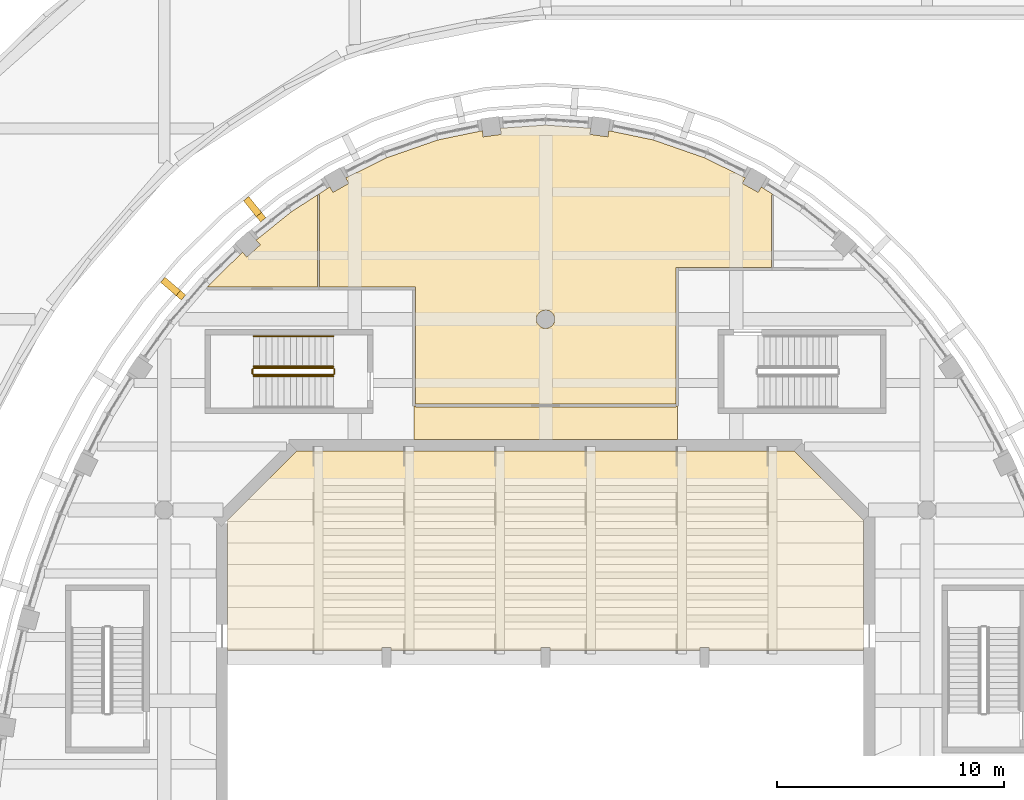
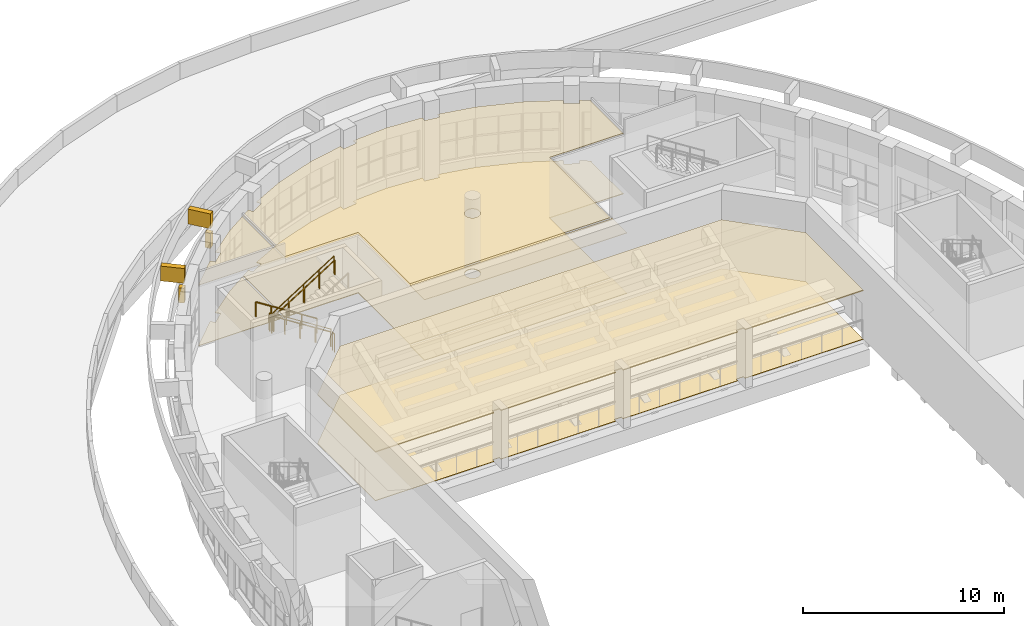
# One storey, part 76 of 79: 12 coverings, 7 railings.
"""IFC4 building model written with IfcOpenShell, lengths in metres."""

from ifc_helpers import new_model, si_unit, direction, frame, origin, origin_2d, place, context, subcontext, project, spatial, polyline, rectangle, circle, outline, extrude, material, layer, layer_set, type_object, element, save


model = new_model("IFC4")

# Units and contexts
model_context = context("Model", 3, precision=1e-05, world=origin(), true_north=direction((0.0, 1.0)))
body_context = subcontext(model_context, "Body", "Model", "MODEL_VIEW")
ifc_project = project(units=[si_unit("LENGTHUNIT", "METRE"), si_unit("AREAUNIT", "SQUARE_METRE"), si_unit("VOLUMEUNIT", "CUBIC_METRE"), si_unit("PLANEANGLEUNIT", "RADIAN"), si_unit("MASSUNIT", "GRAM", prefix="KILO")], contexts=[model_context])

# Site, building, storey
site_placement = place(None, origin())
site = spatial("IfcSite", under=ifc_project, at=site_placement, CompositionType="ELEMENT")
building_placement = place(site_placement, origin())
building = spatial("IfcBuilding", under=site, at=building_placement, Name="Larchfold Concert Hall", CompositionType="ELEMENT")
storey_placement = place(building_placement, frame((0.0, 0.0, 14.39990234375)))
storey = spatial("IfcBuildingStorey", under=building, at=storey_placement, Name="L03", CompositionType="ELEMENT", Elevation=14.39990234375)

# Coverings
ifc_material_1 = material(Name="Acoustic timber lining", Category="wood")
ifc_layer_1 = layer(ifc_material_1, 0.06005859375)
ifc_layer_set_1 = layer_set([ifc_layer_1], Name="Acoustic timber lining")
covering_type_1 = type_object("IfcCoveringType", Name="Ceiling acoustic timber lining 60", PredefinedType="CEILING", material=ifc_layer_set_1)
covering_1_placement = place(storey_placement, frame((0.0, 0.0, 2.940185546875)))
element("IfcCovering", 1, at=covering_1_placement, inside=storey, type_object=covering_type_1, Name="Ceiling Concert Hall Tier 2", PredefinedType="CEILING", context=body_context, shape_type="SweptSolid", body=[
    extrude(outline(polyline([(53.546630859375, 104.0), (31.653564453125, 104.0), (28.60009765625, 100.946533203125), (28.60009765625, 95.199951171875), (35.400146484375, 95.199951171875), (35.400146484375, 95.349853515625), (35.800048828125, 95.349853515625), (35.800048828125, 95.199951171875), (42.400146484375, 95.199951171875), (42.400146484375, 95.349853515625), (42.800048828125, 95.349853515625), (42.800048828125, 95.199951171875), (49.400146484375, 95.199951171875), (49.400146484375, 95.349853515625), (49.800048828125, 95.349853515625), (49.800048828125, 95.199951171875), (56.60009765625, 95.199951171875), (56.60009765625, 100.946533203125), (53.546630859375, 104.0)])), origin(), (0.0, 0.0, 1.0), 0.06005859375),
])
ifc_material_2 = material(Name="Mineral fibre ceiling tile")
ifc_layer_2 = layer(ifc_material_2, 0.02001953125)
ifc_layer_set_2 = layer_set([ifc_layer_2], Name="Mineral fibre ceiling tile")
covering_type_2 = type_object("IfcCoveringType", Name="Ceiling mineral fibre tile 20", PredefinedType="CEILING", material=ifc_layer_set_2)
covering_2_placement = place(storey_placement, frame((0.0, 0.0, 3.68017578125)))
element("IfcCovering", 2, at=covering_2_placement, inside=storey, type_object=covering_type_2, Name="Ceiling Public Toilets", PredefinedType="CEILING", context=body_context, shape_type="SweptSolid", body=[
    extrude(outline(polyline([(27.8154296875, 111.3466796875), (27.699462890625, 111.21142578125), (32.60009765625, 111.21142578125), (32.550048828125, 111.215087890625), (32.550048828125, 115.2734375), (31.41455078125, 114.541748046875), (29.850830078125, 113.282958984375), (30.036865234375, 113.07421875), (29.439453125, 112.542236328125), (29.252685546875, 112.751953125), (27.8154296875, 111.3466796875)])), origin(), (0.0, 0.0, 1.0), 0.02001953125),
])
ifc_material_3 = material(Name="Plasterboard ceiling lining")
ifc_layer_3 = layer(ifc_material_3, 0.030029296875)
ifc_layer_set_3 = layer_set([ifc_layer_3], Name="Plasterboard ceiling lining")
covering_type_3 = type_object("IfcCoveringType", Name="Ceiling suspended plasterboard 30", PredefinedType="CEILING", material=ifc_layer_set_3)
covering_3_placement = place(storey_placement, frame((0.0, 0.0, 3.670166015625)))
element("IfcCovering", 3, at=covering_3_placement, inside=storey, type_object=covering_type_3, Name="Ceiling Hall Foyer North", PredefinedType="CEILING", context=body_context, shape_type="SweptSolid", body=[
    extrude(outline(polyline([(36.864990234375, 106.0), (36.861572265625, 105.97998046875), (36.800048828125, 105.97998046875), (36.800048828125, 104.5), (48.39990234375, 104.5), (48.39990234375, 105.97998046875), (48.33740234375, 105.97998046875), (48.33740234375, 106.0), (48.3349609375, 105.9375), (36.864990234375, 105.9375), (36.864990234375, 106.0)])), origin(), (0.0, 0.0, 1.0), 0.030029296875),
])
covering_4_placement = place(storey_placement, frame((0.0, 0.0, 3.670166015625)))
element("IfcCovering", 4, at=covering_4_placement, inside=storey, type_object=covering_type_3, Name="Ceiling Upper Foyer Bar", PredefinedType="CEILING", context=body_context, shape_type="SweptSolid", body=[
    extrude(outline(polyline([(32.598388671875, 111.215087890625), (32.6201171875, 111.21142578125), (32.6201171875, 111.152587890625), (32.6240234375, 111.21142578125), (36.861572265625, 111.21142578125), (36.861572265625, 106.0), (36.864990234375, 106.0625), (48.3349609375, 106.0625), (48.33740234375, 106.0), (48.33642578125, 112.074462890625), (52.580078125, 112.068603515625), (52.60009765625, 112.070068359375), (52.550048828125, 112.070068359375), (52.550048828125, 115.281005859375), (52.60009765625, 115.281005859375), (52.60009765625, 115.3056640625), (52.10009765625, 115.6279296875), (51.963134765625, 115.386962890625), (51.267578125, 115.7822265625), (51.404052734375, 116.022216796875), (49.60888671875, 116.907958984375), (47.34130859375, 117.697509765625), (45.385009765625, 118.103271484375), (45.34765625, 117.833251953125), (44.55517578125, 117.942626953125), (44.59228515625, 118.212158203125), (42.60009765625, 118.349609375), (40.60791015625, 118.212158203125), (40.64501953125, 117.942626953125), (39.8525390625, 117.833251953125), (39.815185546875, 118.103271484375), (37.85888671875, 117.697509765625), (35.59130859375, 116.907958984375), (33.796142578125, 116.022216796875), (33.9326171875, 115.7822265625), (33.237060546875, 115.386962890625), (33.10009765625, 115.628173828125), (32.589111328125, 115.298828125), (32.589111328125, 115.281005859375), (32.650146484375, 115.281005859375), (32.650146484375, 111.215087890625), (32.598388671875, 111.215087890625)]), holes=[polyline([(42.49658203125, 109.41357421875), (42.447021484375, 109.430419921875), (42.356689453125, 109.482666015625), (42.317138671875, 109.51708984375), (42.28271484375, 109.556640625), (42.23046875, 109.64697265625), (42.20361328125, 109.747802734375), (42.2001953125, 109.800048828125), (42.20361328125, 109.852294921875), (42.23046875, 109.953125), (42.28271484375, 110.04345703125), (42.317138671875, 110.0830078125), (42.356689453125, 110.117431640625), (42.447021484375, 110.169677734375), (42.49658203125, 110.1865234375), (42.60009765625, 110.199951171875), (42.70361328125, 110.1865234375), (42.753173828125, 110.169677734375), (42.843505859375, 110.117431640625), (42.883056640625, 110.0830078125), (42.91748046875, 110.04345703125), (42.9697265625, 109.953125), (42.99658203125, 109.852294921875), (43.0, 109.800048828125), (42.99658203125, 109.747802734375), (42.9697265625, 109.64697265625), (42.91748046875, 109.556640625), (42.883056640625, 109.51708984375), (42.843505859375, 109.482666015625), (42.753173828125, 109.430419921875), (42.70361328125, 109.41357421875), (42.60009765625, 109.400146484375), (42.49658203125, 109.41357421875)])]), origin(), (0.0, 0.0, 1.0), 0.030029296875),
])
ifc_material_4 = material(Name="Ceramic tile")
ifc_layer_4 = layer(ifc_material_4, 0.030029296875)
ifc_layer_set_4 = layer_set([ifc_layer_4], Name="Ceramic tile")
covering_type_4 = type_object("IfcCoveringType", Name="Floor finish ceramic tile 30", PredefinedType="FLOORING", material=ifc_layer_set_4)
covering_5_placement = place(storey_placement, origin())
element("IfcCovering", 5, at=covering_5_placement, inside=storey, type_object=covering_type_4, Name="Floor finish Public Toilets", PredefinedType="FLOORING", context=body_context, shape_type="SweptSolid", body=[
    extrude(outline(polyline([(27.8154296875, 111.3466796875), (27.699462890625, 111.21142578125), (32.60009765625, 111.21142578125), (32.550048828125, 111.215087890625), (32.550048828125, 115.2734375), (31.41455078125, 114.541748046875), (29.850830078125, 113.282958984375), (30.036865234375, 113.07421875), (29.439453125, 112.542236328125), (29.252685546875, 112.751953125), (27.8154296875, 111.3466796875)])), origin(), (0.0, 0.0, 1.0), 0.030029296875),
])
ifc_material_5 = material(Name="Polished terrazzo")
ifc_layer_5 = layer(ifc_material_5, 0.0400390625)
ifc_layer_set_5 = layer_set([ifc_layer_5], Name="Polished terrazzo")
covering_type_5 = type_object("IfcCoveringType", Name="Floor finish terrazzo 40", PredefinedType="FLOORING", material=ifc_layer_set_5)
covering_6_placement = place(storey_placement, origin())
element("IfcCovering", 6, at=covering_6_placement, inside=storey, type_object=covering_type_5, Name="Floor finish Hall Foyer North", PredefinedType="FLOORING", context=body_context, shape_type="SweptSolid", body=[
    extrude(outline(polyline([(36.864990234375, 106.0), (36.861572265625, 105.97998046875), (36.800048828125, 105.97998046875), (36.800048828125, 104.5), (48.39990234375, 104.5), (48.39990234375, 105.97998046875), (48.33740234375, 105.97998046875), (48.33740234375, 106.0), (48.3349609375, 105.9375), (36.864990234375, 105.9375), (36.864990234375, 106.0)])), origin(), (0.0, 0.0, 1.0), 0.0400390625),
])
covering_7_placement = place(storey_placement, origin())
element("IfcCovering", 7, at=covering_7_placement, inside=storey, type_object=covering_type_5, Name="Floor finish Upper Foyer Bar", PredefinedType="FLOORING", context=body_context, shape_type="SweptSolid", body=[
    extrude(outline(polyline([(32.598388671875, 111.215087890625), (32.6201171875, 111.21142578125), (32.6201171875, 111.152587890625), (32.6240234375, 111.21142578125), (36.861572265625, 111.21142578125), (36.861572265625, 106.0), (36.864990234375, 106.0625), (48.3349609375, 106.0625), (48.33740234375, 106.0), (48.33642578125, 112.074462890625), (52.580078125, 112.068603515625), (52.60009765625, 112.070068359375), (52.550048828125, 112.070068359375), (52.550048828125, 115.281005859375), (52.60009765625, 115.281005859375), (52.60009765625, 115.3056640625), (52.10009765625, 115.6279296875), (51.963134765625, 115.386962890625), (51.267578125, 115.7822265625), (51.404052734375, 116.022216796875), (49.60888671875, 116.907958984375), (47.34130859375, 117.697509765625), (45.385009765625, 118.103271484375), (45.34765625, 117.833251953125), (44.55517578125, 117.942626953125), (44.59228515625, 118.212158203125), (42.60009765625, 118.349609375), (40.60791015625, 118.212158203125), (40.64501953125, 117.942626953125), (39.8525390625, 117.833251953125), (39.815185546875, 118.103271484375), (37.85888671875, 117.697509765625), (35.59130859375, 116.907958984375), (33.796142578125, 116.022216796875), (33.9326171875, 115.7822265625), (33.237060546875, 115.386962890625), (33.10009765625, 115.628173828125), (32.589111328125, 115.298828125), (32.589111328125, 115.281005859375), (32.650146484375, 115.281005859375), (32.650146484375, 111.215087890625), (32.598388671875, 111.215087890625)]), holes=[polyline([(42.49658203125, 109.41357421875), (42.447021484375, 109.430419921875), (42.356689453125, 109.482666015625), (42.317138671875, 109.51708984375), (42.28271484375, 109.556640625), (42.23046875, 109.64697265625), (42.20361328125, 109.747802734375), (42.2001953125, 109.800048828125), (42.20361328125, 109.852294921875), (42.23046875, 109.953125), (42.28271484375, 110.04345703125), (42.317138671875, 110.0830078125), (42.356689453125, 110.117431640625), (42.447021484375, 110.169677734375), (42.49658203125, 110.1865234375), (42.60009765625, 110.199951171875), (42.70361328125, 110.1865234375), (42.753173828125, 110.169677734375), (42.843505859375, 110.117431640625), (42.883056640625, 110.0830078125), (42.91748046875, 110.04345703125), (42.9697265625, 109.953125), (42.99658203125, 109.852294921875), (43.0, 109.800048828125), (42.99658203125, 109.747802734375), (42.9697265625, 109.64697265625), (42.91748046875, 109.556640625), (42.883056640625, 109.51708984375), (42.843505859375, 109.482666015625), (42.753173828125, 109.430419921875), (42.70361328125, 109.41357421875), (42.60009765625, 109.400146484375), (42.49658203125, 109.41357421875)])]), origin(), (0.0, 0.0, 1.0), 0.0400390625),
])
ifc_material_6 = material(Name="Oak boards on battens")
ifc_layer_6 = layer(ifc_material_6, 0.02490234375)
ifc_layer_set_6 = layer_set([ifc_layer_6], Name="Oak boards on battens")
covering_type_6 = type_object("IfcCoveringType", Name="Floor finish timber boards 25", PredefinedType="FLOORING", material=ifc_layer_set_6)
covering_8_placement = place(storey_placement, origin())
element("IfcCovering", 8, at=covering_8_placement, inside=storey, type_object=covering_type_6, Name="Floor finish Concert Hall Tier 2", PredefinedType="FLOORING", context=body_context, shape_type="SweptSolid", body=[
    extrude(outline(polyline([(53.546630859375, 104.0), (31.653564453125, 104.0), (28.60009765625, 100.946533203125), (28.60009765625, 95.199951171875), (35.400146484375, 95.199951171875), (35.400146484375, 95.349853515625), (35.800048828125, 95.349853515625), (35.800048828125, 95.199951171875), (42.400146484375, 95.199951171875), (42.400146484375, 95.349853515625), (42.800048828125, 95.349853515625), (42.800048828125, 95.199951171875), (49.400146484375, 95.199951171875), (49.400146484375, 95.349853515625), (49.800048828125, 95.349853515625), (49.800048828125, 95.199951171875), (56.60009765625, 95.199951171875), (56.60009765625, 100.946533203125), (53.546630859375, 104.0)])), origin(), (0.0, 0.0, 1.0), 0.02490234375),
])
ifc_material_7 = material(Name="Galvanised steel bracket", Category="steel")
ifc_layer_7 = layer(ifc_material_7, 0.300048828125)
ifc_layer_set_7 = layer_set([ifc_layer_7], Name="Galvanised steel bracket")
covering_type_7 = type_object("IfcCoveringType", Name="Ring support bracket", PredefinedType="CLADDING", material=ifc_layer_set_7)
for number, where, z_axis, x_axis, name in (
    (9, (30.06982421875, 114.293701171875, 3.35009765625), (0.0, 0.0, 1.0), (-0.626932967102, 0.77907320244, 0.0), "Ring bracket BR-R06-13"),
    (10, (26.537841796875, 110.854248046875, 3.35009765625), (0.0, 0.0, 1.0), (-0.759502249096, 0.650504676093, 0.0), "Ring bracket BR-R06-14"),
):
    element("IfcCovering", number, at=place(storey_placement, frame(where, z_axis=z_axis, x_axis=x_axis)), inside=storey, type_object=covering_type_7, Name=name, PredefinedType="CLADDING", context=body_context, shape_type="SweptSolid", body=[
        extrude(rectangle(XDim=0.300048828125, YDim=0.300048828125, at=origin_2d()), origin(), (0.0, 0.0, 1.0), 0.89990234375),
    ])
for number, where, z_axis, x_axis, name in (
    (11, (29.787841796875, 114.644287109375, 4.550048828125), (0.0, 0.0, 1.0), (-0.626932967102, 0.77907320244, 0.0), "Ring bracket BR-R07-13"),
    (12, (26.196044921875, 111.14697265625, 4.550048828125), (0.0, 0.0, 1.0), (-0.759502249096, 0.650504676093, 0.0), "Ring bracket BR-R07-14"),
):
    element("IfcCovering", number, at=place(storey_placement, frame(where, z_axis=z_axis, x_axis=x_axis)), inside=storey, type_object=covering_type_7, Name=name, PredefinedType="CLADDING", context=body_context, shape_type="SweptSolid", body=[
        extrude(rectangle(XDim=1.199951171875, YDim=0.300048828125, at=origin_2d()), origin(), (0.0, 0.0, 1.0), 0.89990234375),
    ])

# Railings
ifc_material_8 = material(Name="Stainless steel balustrade", Category="steel")
railing_type_1 = type_object("IfcRailingType", Name="Stair guard 1100", PredefinedType="GUARDRAIL", material=ifc_material_8)
railing_1_placement = place(storey_placement, frame((33.25, 107.650146484375, 0.171630859375)))
element("IfcRailing", 13, at=railing_1_placement, inside=storey, type_object=railing_type_1, Name="Guard GR0013", PredefinedType="GUARDRAIL", context=body_context, shape_type="SweptSolid", body=[
    extrude(circle(Radius=0.02392578125, at=origin_2d()), frame((0.0, 0.0, 1.076171875), z_axis=(-0.844219563411, 0.0, 0.53599750816), x_axis=(0.0, -1.0, 0.0)), (0.0, 0.0, 1.0), 4.15771484375),
    extrude(circle(Radius=0.02099609375, at=origin_2d()), origin(), (0.0, 0.0, 1.0), 1.052001953125),
    extrude(circle(Radius=0.02099609375, at=origin_2d()), frame((-0.87744140625, 0.0, 0.55712890625)), (0.0, 0.0, 1.0), 1.052001953125),
    extrude(circle(Radius=0.02099609375, at=origin_2d()), frame((-1.7548828125, 0.0, 1.1142578125)), (0.0, 0.0, 1.0), 1.052001953125),
    extrude(circle(Radius=0.02099609375, at=origin_2d()), frame((-2.632568359375, 0.0, 1.67138671875)), (0.0, 0.0, 1.0), 1.052001953125),
    extrude(circle(Radius=0.02099609375, at=origin_2d()), frame((-3.510009765625, 0.0, 2.228515625)), (0.0, 0.0, 1.0), 1.052001953125),
])
railing_2_placement = place(storey_placement, frame((29.68994140625, 107.60009765625, 2.400146484375)))
element("IfcRailing", 14, at=railing_2_placement, inside=storey, type_object=railing_type_1, Name="Guard GR0014", PredefinedType="GUARDRAIL", context=body_context, shape_type="SweptSolid", body=[
    extrude(circle(Radius=0.02392578125, at=origin_2d()), frame((0.0, 0.0, 1.076171875), z_axis=(0.0, -1.0, 0.0), x_axis=(1.0, 0.0, 0.0)), (0.0, 0.0, 1.0), 0.199951171875),
    extrude(circle(Radius=0.02099609375, at=origin_2d()), origin(), (0.0, 0.0, 1.0), 1.052001953125),
    extrude(circle(Radius=0.02099609375, at=origin_2d()), frame((0.0, -0.199951171875, 0.0)), (0.0, 0.0, 1.0), 1.052001953125),
])
railing_3_placement = place(storey_placement, frame((29.739990234375, 107.35009765625, 2.571533203125)))
element("IfcRailing", 15, at=railing_3_placement, inside=storey, type_object=railing_type_1, Name="Guard GR0015", PredefinedType="GUARDRAIL", context=body_context, shape_type="SweptSolid", body=[
    extrude(circle(Radius=0.02392578125, at=origin_2d()), frame((0.0, 0.0, 1.076171875), z_axis=(0.844219563411, 0.0, 0.53599750816), x_axis=(0.0, 1.0, 0.0)), (0.0, 0.0, 1.0), 4.15771484375),
    extrude(circle(Radius=0.02099609375, at=origin_2d()), origin(), (0.0, 0.0, 1.0), 1.052001953125),
    extrude(circle(Radius=0.02099609375, at=origin_2d()), frame((0.87744140625, 0.0, 0.55712890625)), (0.0, 0.0, 1.0), 1.052001953125),
    extrude(circle(Radius=0.02099609375, at=origin_2d()), frame((1.7548828125, 0.0, 1.1142578125)), (0.0, 0.0, 1.0), 1.052001953125),
    extrude(circle(Radius=0.02099609375, at=origin_2d()), frame((2.632568359375, 0.0, 1.67138671875)), (0.0, 0.0, 1.0), 1.052001953125),
    extrude(circle(Radius=0.02099609375, at=origin_2d()), frame((3.510009765625, 0.0, 2.228515625)), (0.0, 0.0, 1.0), 1.052001953125),
])
railing_4_placement = place(storey_placement, frame((33.300048828125, 107.60009765625, 0.0)))
element("IfcRailing", 16, at=railing_4_placement, inside=storey, type_object=railing_type_1, Name="Guard GR0016", PredefinedType="GUARDRAIL", context=body_context, shape_type="SweptSolid", body=[
    extrude(circle(Radius=0.02392578125, at=origin_2d()), frame((0.0, 0.0, 1.076171875), z_axis=(0.0, -1.0, 0.0), x_axis=(1.0, 0.0, 0.0)), (0.0, 0.0, 1.0), 0.199951171875),
    extrude(circle(Radius=0.02099609375, at=origin_2d()), origin(), (0.0, 0.0, 1.0), 1.052001953125),
    extrude(circle(Radius=0.02099609375, at=origin_2d()), frame((0.0, -0.199951171875, 0.0)), (0.0, 0.0, 1.0), 1.052001953125),
])
ifc_material_9 = material(Name="Stainless steel handrail", Category="steel")
railing_type_2 = type_object("IfcRailingType", Name="Stair handrail 900", PredefinedType="HANDRAIL", material=ifc_material_9)
for number, where, name in (
    (17, (33.25, 109.050048828125, 0.171630859375), "Handrail HR0009"),
    (18, (33.25, 107.72021484375, 0.171630859375), "Handrail HR0011"),
):
    element("IfcRailing", number, at=place(storey_placement, frame(where)), inside=storey, type_object=railing_type_2, Name=name, PredefinedType="HANDRAIL", context=body_context, shape_type="SweptSolid", body=[
        extrude(circle(Radius=0.02392578125, at=origin_2d()), frame((0.0, 0.0, 0.8759765625), z_axis=(-0.844219563411, 0.0, 0.53599750816), x_axis=(0.0, -1.0, 0.0)), (0.0, 0.0, 1.0), 4.15771484375),
        extrude(circle(Radius=0.02099609375, at=origin_2d()), origin(), (0.0, 0.0, 1.0), 0.851806640625),
        extrude(circle(Radius=0.02099609375, at=origin_2d()), frame((-0.87744140625, 0.0, 0.55712890625)), (0.0, 0.0, 1.0), 0.851806640625),
        extrude(circle(Radius=0.02099609375, at=origin_2d()), frame((-1.7548828125, 0.0, 1.1142578125)), (0.0, 0.0, 1.0), 0.851806640625),
        extrude(circle(Radius=0.02099609375, at=origin_2d()), frame((-2.632568359375, 0.0, 1.67138671875)), (0.0, 0.0, 1.0), 0.851806640625),
        extrude(circle(Radius=0.02099609375, at=origin_2d()), frame((-3.510009765625, 0.0, 2.228515625)), (0.0, 0.0, 1.0), 0.851806640625),
    ])
railing_5_placement = place(storey_placement, frame((29.739990234375, 107.280029296875, 2.571533203125)))
element("IfcRailing", 19, at=railing_5_placement, inside=storey, type_object=railing_type_2, Name="Handrail HR0012", PredefinedType="HANDRAIL", context=body_context, shape_type="SweptSolid", body=[
    extrude(circle(Radius=0.02392578125, at=origin_2d()), frame((0.0, 0.0, 0.8759765625), z_axis=(0.844219563411, 0.0, 0.53599750816), x_axis=(0.0, 1.0, 0.0)), (0.0, 0.0, 1.0), 4.15771484375),
    extrude(circle(Radius=0.02099609375, at=origin_2d()), origin(), (0.0, 0.0, 1.0), 0.851806640625),
    extrude(circle(Radius=0.02099609375, at=origin_2d()), frame((0.87744140625, 0.0, 0.55712890625)), (0.0, 0.0, 1.0), 0.851806640625),
    extrude(circle(Radius=0.02099609375, at=origin_2d()), frame((1.7548828125, 0.0, 1.1142578125)), (0.0, 0.0, 1.0), 0.851806640625),
    extrude(circle(Radius=0.02099609375, at=origin_2d()), frame((2.632568359375, 0.0, 1.67138671875)), (0.0, 0.0, 1.0), 0.851806640625),
    extrude(circle(Radius=0.02099609375, at=origin_2d()), frame((3.510009765625, 0.0, 2.228515625)), (0.0, 0.0, 1.0), 0.851806640625),
])

save(model, "model.ifc")
